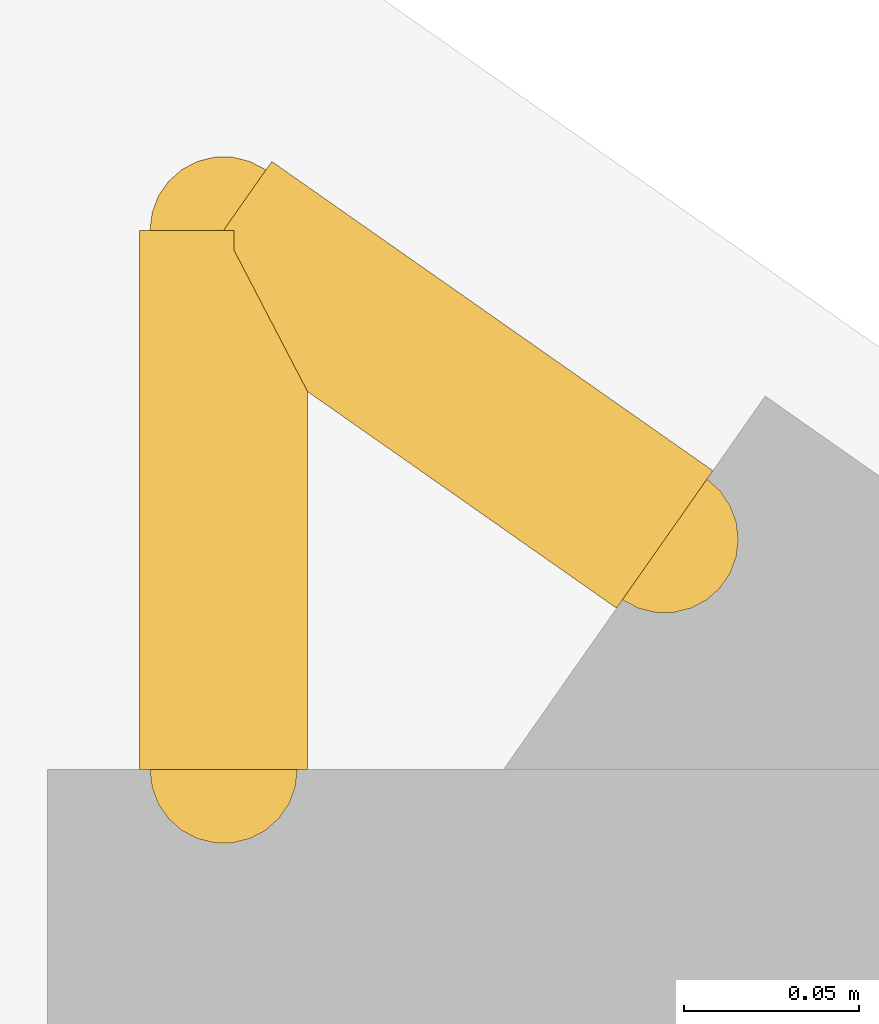
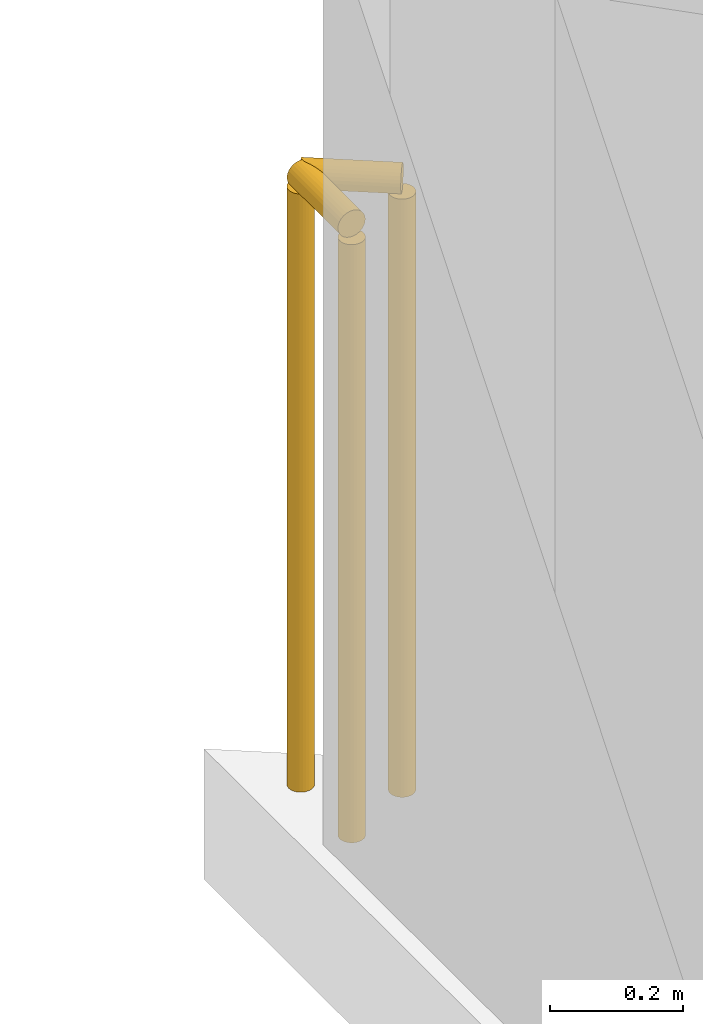
# One storey, part 17 of 17: 2 railings.
"""IFC4 building model written with IfcOpenShell, lengths in metres."""

from ifc_helpers import new_model, si_unit, direction, frame, origin, origin_2d, place, context, subcontext, project, spatial, circle, extrude, material, type_object, element, save


model = new_model("IFC4")

# Units and contexts
model_context = context("Model", 3, precision=1e-05, world=origin(), true_north=direction((0.0, 1.0)))
body_context = subcontext(model_context, "Body", "Model", "MODEL_VIEW")
ifc_project = project(units=[si_unit("LENGTHUNIT", "METRE"), si_unit("AREAUNIT", "SQUARE_METRE"), si_unit("VOLUMEUNIT", "CUBIC_METRE"), si_unit("PLANEANGLEUNIT", "RADIAN"), si_unit("MASSUNIT", "GRAM", prefix="KILO")], contexts=[model_context])

# Site, building, storey
site_placement = place(None, origin())
site = spatial("IfcSite", under=ifc_project, at=site_placement, CompositionType="ELEMENT")
building_placement = place(site_placement, origin())
building = spatial("IfcBuilding", under=site, at=building_placement, Name="Varnakote Quay Hospital", CompositionType="ELEMENT")
storey_placement = place(building_placement, frame((0.0, 0.0, 203.949951171875)))
storey = spatial("IfcBuildingStorey", under=building, at=storey_placement, Name="L50", CompositionType="ELEMENT", Elevation=203.949951171875)

# Railings
ifc_material = material(Name="Anodised aluminium 6063-T6 Bronze", Category="aluminium")
railing_type = type_object("IfcRailingType", Name="RLG-EXT-GUARD-1150", PredefinedType="GUARDRAIL", material=ifc_material)
railing_1_placement = place(storey_placement, frame((2.580078125, 42.492431640625, 0.0)))
element("IfcRailing", 1, at=railing_1_placement, inside=storey, type_object=railing_type, Name="L50 Slab Edge Perimeter Safety Guard", PredefinedType="GUARDRAIL", context=body_context, shape_type="SweptSolid", body=[
    extrude(circle(Radius=0.02392578125, at=origin_2d()), frame((0.0, 0.0, 1.1259765625), z_axis=(0.0, 1.0, 0.0), x_axis=(-1.0, 0.0, 0.0)), (0.0, 0.0, 1.0), 0.15380859375),
    extrude(circle(Radius=0.02099609375, at=origin_2d()), origin(), (0.0, 0.0, 1.0), 1.101806640625),
    extrude(circle(Radius=0.02099609375, at=origin_2d()), frame((0.0, 0.15380859375, 0.0)), (0.0, 0.0, 1.0), 1.101806640625),
])
railing_2_placement = place(storey_placement, frame((2.580078125, 42.646240234375, 0.0)))
element("IfcRailing", 2, at=railing_2_placement, inside=storey, type_object=railing_type, Name="L50 Slab Edge Perimeter Safety Guard", PredefinedType="GUARDRAIL", context=body_context, shape_type="SweptSolid", body=[
    extrude(circle(Radius=0.02392578125, at=origin_2d()), frame((0.0, 0.0, 1.1259765625), z_axis=(0.818858253068, -0.57399578516, 0.0), x_axis=(0.57399578516, 0.818858253068, 0.0)), (0.0, 0.0, 1.0), 0.153564453125),
    extrude(circle(Radius=0.02099609375, at=origin_2d()), origin(), (0.0, 0.0, 1.0), 1.101806640625),
    extrude(circle(Radius=0.02099609375, at=origin_2d()), frame((0.125732421875, -0.088134765625, 0.0)), (0.0, 0.0, 1.0), 1.101806640625),
])

save(model, "model.ifc")
